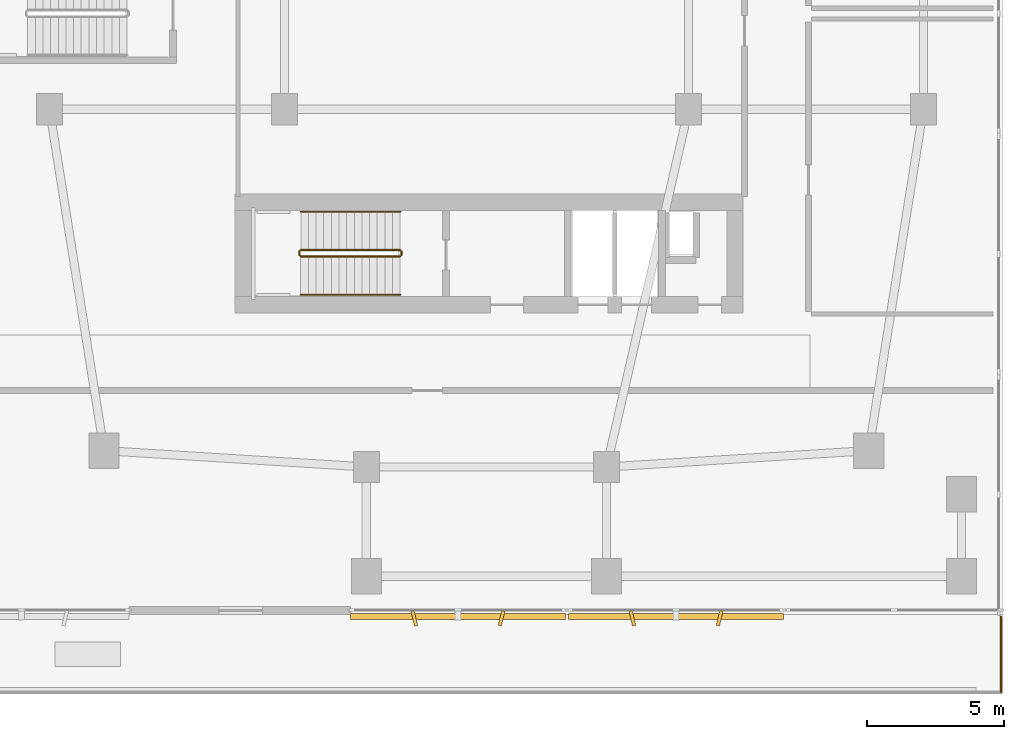
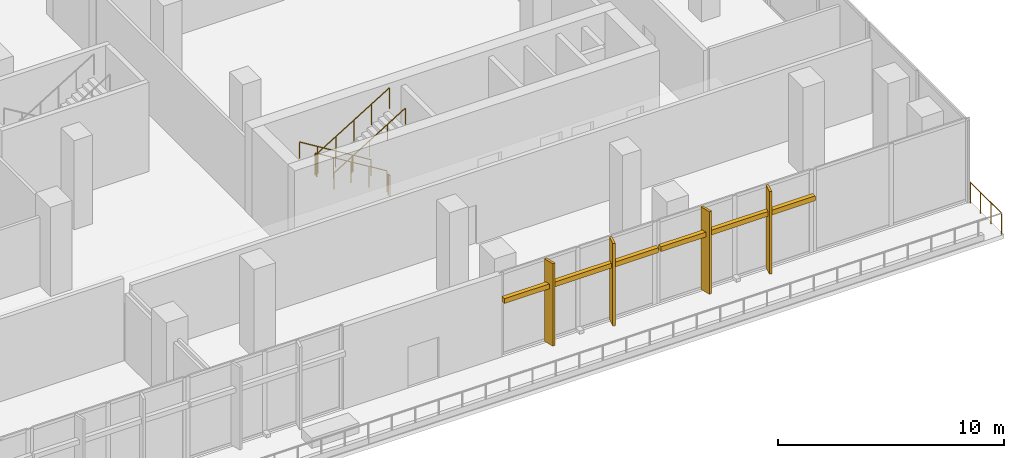
# One storey, part 28 of 30: 7 railings, 6 shading devices.
"""IFC4 building model written with IfcOpenShell, lengths in metres."""

from ifc_helpers import new_model, si_unit, derived_unit, direction, frame, origin, origin_2d, place, context, subcontext, project, spatial, rectangle, circle, extrude, material, type_object, element, save


model = new_model("IFC4")

# Units and contexts
model_context = context("Model", 3, precision=1e-05, world=origin(), true_north=direction((0.0, 1.0)))
body_context = subcontext(model_context, "Body", "Model", "MODEL_VIEW")
ifc_project = project(units=[si_unit("LENGTHUNIT", "METRE"), si_unit("AREAUNIT", "SQUARE_METRE"), si_unit("VOLUMEUNIT", "CUBIC_METRE"), si_unit("PLANEANGLEUNIT", "RADIAN"), si_unit("MASSUNIT", "GRAM", prefix="KILO"), derived_unit("THERMALTRANSMITTANCEUNIT", [(si_unit("POWERUNIT", "WATT"), 1), (si_unit("LENGTHUNIT", "METRE"), -2), (si_unit("THERMODYNAMICTEMPERATUREUNIT", "KELVIN"), -1)])], contexts=[model_context])

# Site, building, storey
site_placement = place(None, origin())
site = spatial("IfcSite", under=ifc_project, at=site_placement, CompositionType="ELEMENT")
building_placement = place(site_placement, origin())
building = spatial("IfcBuilding", under=site, at=building_placement, Name="Kivonza Crest Hotel", CompositionType="ELEMENT")
storey_placement = place(building_placement, frame((0.0, 0.0, 10.199951171875)))
storey = spatial("IfcBuildingStorey", under=building, at=storey_placement, Name="L02", CompositionType="ELEMENT", Elevation=10.199951171875)

# Railings
ifc_material_1 = material(Name="Brushed stainless steel handrail", Category="steel")
railing_type_1 = type_object("IfcRailingType", Name="RL-HAND-900", PredefinedType="HANDRAIL", material=ifc_material_1)
railing_1_placement = place(storey_placement, frame((73.840087890625, 17.75, 0.17138671875)))
element("IfcRailing", 1, at=railing_1_placement, inside=storey, type_object=railing_type_1, Name="L02 ST-T2-S stair handrail 1", PredefinedType="HANDRAIL", context=body_context, shape_type="SweptSolid", body=[
    extrude(circle(Radius=0.02392578125, at=origin_2d()), frame((0.0, 0.0, 0.8759765625), z_axis=(-0.852840387347, 0.0, 0.522171689878), x_axis=(0.0, -1.0, 0.0)), (0.0, 0.0, 1.0), 4.268310546875),
    extrude(circle(Radius=0.02099609375, at=origin_2d()), origin(), (0.0, 0.0, 1.0), 0.851806640625),
    extrude(circle(Radius=0.02099609375, at=origin_2d()), frame((-0.91015625, 0.0, 0.55712890625)), (0.0, 0.0, 1.0), 0.851806640625),
    extrude(circle(Radius=0.02099609375, at=origin_2d()), frame((-1.820068359375, 0.0, 1.1142578125)), (0.0, 0.0, 1.0), 0.851806640625),
    extrude(circle(Radius=0.02099609375, at=origin_2d()), frame((-2.72998046875, 0.0, 1.671630859375)), (0.0, 0.0, 1.0), 0.851806640625),
    extrude(circle(Radius=0.02099609375, at=origin_2d()), frame((-3.64013671875, 0.0, 2.228759765625)), (0.0, 0.0, 1.0), 0.851806640625),
])
railing_2_placement = place(storey_placement, frame((70.199951171875, 14.7099609375, 2.571533203125)))
element("IfcRailing", 2, at=railing_2_placement, inside=storey, type_object=railing_type_1, Name="L02 ST-T2-S stair handrail 2", PredefinedType="HANDRAIL", context=body_context, shape_type="SweptSolid", body=[
    extrude(circle(Radius=0.02392578125, at=origin_2d()), frame((0.0, 0.0, 0.8759765625), z_axis=(0.852865859571, 0.0, 0.52213008492), x_axis=(0.0, 1.0, 0.0)), (0.0, 0.0, 1.0), 4.26806640625),
    extrude(circle(Radius=0.02099609375, at=origin_2d()), origin(), (0.0, 0.0, 1.0), 0.851806640625),
    extrude(circle(Radius=0.02099609375, at=origin_2d()), frame((0.91015625, 0.0, 0.55712890625)), (0.0, 0.0, 1.0), 0.851806640625),
    extrude(circle(Radius=0.02099609375, at=origin_2d()), frame((1.820068359375, 0.0, 1.1142578125)), (0.0, 0.0, 1.0), 0.851806640625),
    extrude(circle(Radius=0.02099609375, at=origin_2d()), frame((2.72998046875, 0.0, 1.67138671875)), (0.0, 0.0, 1.0), 0.851806640625),
    extrude(circle(Radius=0.02099609375, at=origin_2d()), frame((3.64013671875, 0.0, 2.228515625)), (0.0, 0.0, 1.0), 0.851806640625),
])
ifc_material_2 = material(Name="Painted steel balustrade", Category="steel")
railing_type_2 = type_object("IfcRailingType", Name="RL-STAIR-1150", PredefinedType="BALUSTRADE", material=ifc_material_2)
railing_3_placement = place(storey_placement, frame((73.840087890625, 16.35009765625, 0.17138671875)))
element("IfcRailing", 3, at=railing_3_placement, inside=storey, type_object=railing_type_2, Name="L02 ST-T2-S stair guard 1", PredefinedType="BALUSTRADE", context=body_context, shape_type="SweptSolid", body=[
    extrude(circle(Radius=0.02392578125, at=origin_2d()), frame((0.0, 0.0, 1.1259765625), z_axis=(-0.852840387347, 0.0, 0.522171689878), x_axis=(0.0, -1.0, 0.0)), (0.0, 0.0, 1.0), 4.268310546875),
    extrude(circle(Radius=0.02099609375, at=origin_2d()), origin(), (0.0, 0.0, 1.0), 1.101806640625),
    extrude(circle(Radius=0.02099609375, at=origin_2d()), frame((-0.91015625, 0.0, 0.55712890625)), (0.0, 0.0, 1.0), 1.101806640625),
    extrude(circle(Radius=0.02099609375, at=origin_2d()), frame((-1.820068359375, 0.0, 1.1142578125)), (0.0, 0.0, 1.0), 1.101806640625),
    extrude(circle(Radius=0.02099609375, at=origin_2d()), frame((-2.72998046875, 0.0, 1.671630859375)), (0.0, 0.0, 1.0), 1.101806640625),
    extrude(circle(Radius=0.02099609375, at=origin_2d()), frame((-3.64013671875, 0.0, 2.228759765625)), (0.0, 0.0, 1.0), 1.101806640625),
])
railing_4_placement = place(storey_placement, frame((70.14990234375, 16.300048828125, 2.400146484375)))
element("IfcRailing", 4, at=railing_4_placement, inside=storey, type_object=railing_type_2, Name="L02 ST-T2-S stair guard 2", PredefinedType="BALUSTRADE", context=body_context, shape_type="SweptSolid", body=[
    extrude(circle(Radius=0.02392578125, at=origin_2d()), frame((0.0, 0.0, 1.1259765625), z_axis=(0.0, -1.0, 0.0), x_axis=(1.0, 0.0, 0.0)), (0.0, 0.0, 1.0), 0.14013671875),
    extrude(circle(Radius=0.02099609375, at=origin_2d()), origin(), (0.0, 0.0, 1.0), 1.101806640625),
    extrude(circle(Radius=0.02099609375, at=origin_2d()), frame((0.0, -0.14013671875, 0.0)), (0.0, 0.0, 1.0), 1.101806640625),
])
railing_5_placement = place(storey_placement, frame((70.199951171875, 16.110107421875, 2.571533203125)))
element("IfcRailing", 5, at=railing_5_placement, inside=storey, type_object=railing_type_2, Name="L02 ST-T2-S stair guard 3", PredefinedType="BALUSTRADE", context=body_context, shape_type="SweptSolid", body=[
    extrude(circle(Radius=0.02392578125, at=origin_2d()), frame((0.0, 0.0, 1.1259765625), z_axis=(0.852865859571, 0.0, 0.52213008492), x_axis=(0.0, 1.0, 0.0)), (0.0, 0.0, 1.0), 4.26806640625),
    extrude(circle(Radius=0.02099609375, at=origin_2d()), origin(), (0.0, 0.0, 1.0), 1.101806640625),
    extrude(circle(Radius=0.02099609375, at=origin_2d()), frame((0.91015625, 0.0, 0.55712890625)), (0.0, 0.0, 1.0), 1.101806640625),
    extrude(circle(Radius=0.02099609375, at=origin_2d()), frame((1.820068359375, 0.0, 1.1142578125)), (0.0, 0.0, 1.0), 1.101806640625),
    extrude(circle(Radius=0.02099609375, at=origin_2d()), frame((2.72998046875, 0.0, 1.67138671875)), (0.0, 0.0, 1.0), 1.101806640625),
    extrude(circle(Radius=0.02099609375, at=origin_2d()), frame((3.64013671875, 0.0, 2.228515625)), (0.0, 0.0, 1.0), 1.101806640625),
])
railing_6_placement = place(storey_placement, frame((73.889892578125, 16.300048828125, 0.0)))
element("IfcRailing", 6, at=railing_6_placement, inside=storey, type_object=railing_type_2, Name="L02 ST-T2-S stair guard 4", PredefinedType="BALUSTRADE", context=body_context, shape_type="SweptSolid", body=[
    extrude(circle(Radius=0.02392578125, at=origin_2d()), frame((0.0, 0.0, 1.1259765625), z_axis=(0.0, -1.0, 0.0), x_axis=(1.0, 0.0, 0.0)), (0.0, 0.0, 1.0), 0.14013671875),
    extrude(circle(Radius=0.02099609375, at=origin_2d()), origin(), (0.0, 0.0, 1.0), 1.101806640625),
    extrude(circle(Radius=0.02099609375, at=origin_2d()), frame((0.0, -0.14013671875, 0.0)), (0.0, 0.0, 1.0), 1.101806640625),
])
ifc_material_3 = material(Name="Laminated glass and stainless steel balustrade", Category="steel")
railing_type_3 = type_object("IfcRailingType", Name="RL-TERR-1150", PredefinedType="BALUSTRADE", material=ifc_material_3)
railing_7_placement = place(storey_placement, frame((95.840087890625, 2.919921875, 0.0)))
element("IfcRailing", 7, at=railing_7_placement, inside=storey, type_object=railing_type_3, Name="L02 POD-L02-T1 perimeter safety balustrade 2", PredefinedType="BALUSTRADE", context=body_context, shape_type="SweptSolid", body=[
    extrude(circle(Radius=0.02392578125, at=origin_2d()), frame((0.0, 0.0, 1.1259765625), z_axis=(0.0, -1.0, 0.0), x_axis=(1.0, 0.0, 0.0)), (0.0, 0.0, 1.0), 2.760009765625),
    extrude(circle(Radius=0.02099609375, at=origin_2d()), origin(), (0.0, 0.0, 1.0), 1.101806640625),
    extrude(circle(Radius=0.02099609375, at=origin_2d()), frame((0.0, -0.919921875, 0.0)), (0.0, 0.0, 1.0), 1.101806640625),
    extrude(circle(Radius=0.02099609375, at=origin_2d()), frame((0.0, -1.840087890625, 0.0)), (0.0, 0.0, 1.0), 1.101806640625),
    extrude(circle(Radius=0.02099609375, at=origin_2d()), frame((0.0, -2.760009765625, 0.0)), (0.0, 0.0, 1.0), 1.101806640625),
])

# Shading devices
ifc_material_4 = material(Name="Kiln-fired Nairobi red-ochre terracotta", Category="masonry")
shading_device_type_1 = type_object("IfcShadingDeviceType", Name="SH-BAGUETTE-300", PredefinedType="USERDEFINED", material=ifc_material_4)
shading_device_1_placement = place(storey_placement, frame((75.952880859375, 2.919921875, 2.98486328125), z_axis=(0.0, 0.0, 1.0), x_axis=(1.0, 0.0, 0.0)))
element("IfcShadingDevice", 8, at=shading_device_1_placement, inside=storey, type_object=shading_device_type_1, Name="L02 terracotta baguette screen CW-POD-L02-10", ObjectType="BAGUETTE", PredefinedType="USERDEFINED", context=body_context, shape_type="SweptSolid", body=[
    extrude(rectangle(XDim=7.866943359375, YDim=0.219970703125, at=origin_2d()), origin(), (0.0, 0.0, 1.0), 0.260009765625),
])
shading_device_2_placement = place(storey_placement, frame((83.93994140625, 2.919921875, 2.98486328125), z_axis=(0.0, 0.0, 1.0), x_axis=(1.0, 0.0, 0.0)))
element("IfcShadingDevice", 9, at=shading_device_2_placement, inside=storey, type_object=shading_device_type_1, Name="L02 terracotta baguette screen CW-POD-L02-11", ObjectType="BAGUETTE", PredefinedType="USERDEFINED", context=body_context, shape_type="SweptSolid", body=[
    extrude(rectangle(XDim=7.865966796875, YDim=0.219970703125, at=origin_2d()), origin(), (0.0, 0.0, 1.0), 0.260009765625),
])
ifc_material_5 = material(Name="Kiln-fired terracotta over extruded aluminium spine", Category="masonry")
shading_device_type_2 = type_object("IfcShadingDeviceType", Name="SH-FIN-550", PredefinedType="USERDEFINED", material=ifc_material_5)
for number, where, z_axis, x_axis, name in (
    (10, (74.35595703125, 2.860107421875, 0.0), (0.0, 0.0, 1.0), (0.970295726276, 0.2419218956, 0.0), "L02 vertical solar shading fin CW-POD-L02-10-1"),
    (11, (77.551025390625, 2.860107421875, 0.0), (0.0, 0.0, 1.0), (0.970295726276, -0.2419218956, 0.0), "L02 vertical solar shading fin CW-POD-L02-10-2"),
    (12, (82.343017578125, 2.860107421875, 0.0), (0.0, 0.0, 1.0), (0.970295726276, 0.2419218956, 0.0), "L02 vertical solar shading fin CW-POD-L02-11-1"),
    (13, (85.537109375, 2.860107421875, 0.0), (0.0, 0.0, 1.0), (0.970295726276, -0.2419218956, 0.0), "L02 vertical solar shading fin CW-POD-L02-11-2"),
):
    element("IfcShadingDevice", number, at=place(storey_placement, frame(where, z_axis=z_axis, x_axis=x_axis)), inside=storey, type_object=shading_device_type_2, Name=name, ObjectType="FIN", PredefinedType="USERDEFINED", context=body_context, shape_type="SweptSolid", body=[
        extrude(rectangle(XDim=0.1201171875, YDim=0.550048828125, at=origin_2d()), origin(), (0.0, 0.0, 1.0), 4.449951171875),
    ])

save(model, "model.ifc")
